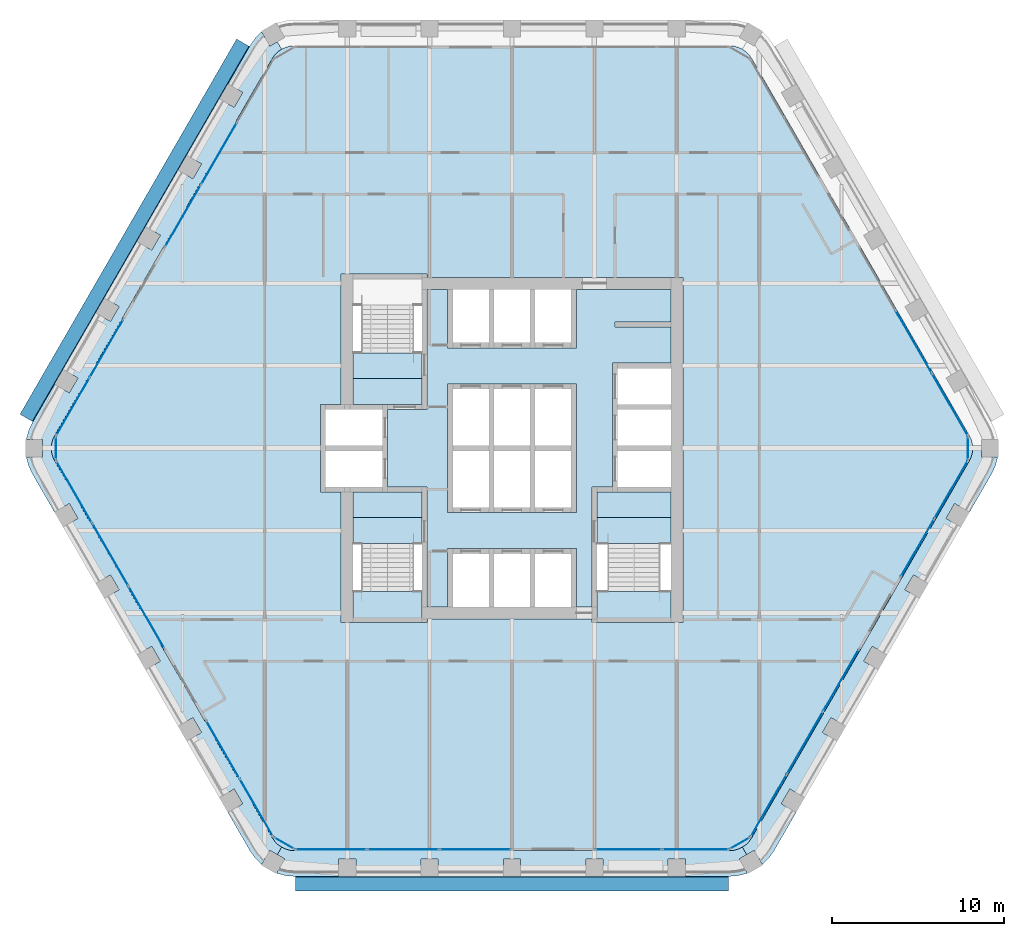
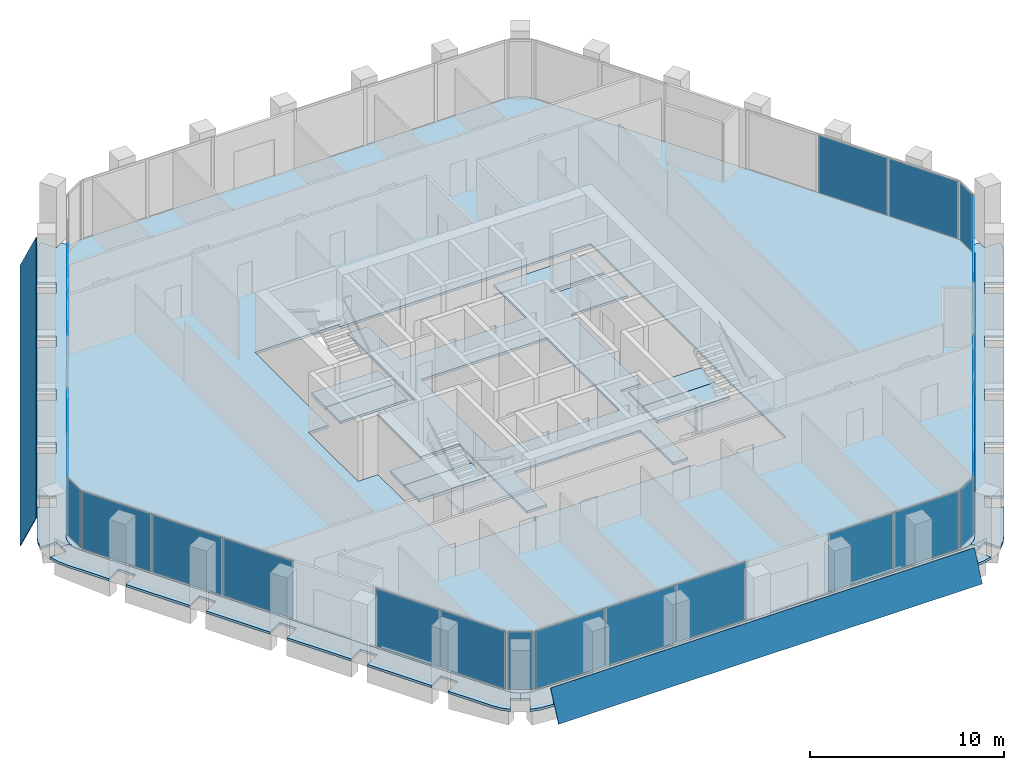
# One storey, part 7 of 15: 27 plates, 14 slabs, 16 elements without a shape of their own.
"""IFC4 building model written with IfcOpenShell, lengths in metres."""

from ifc_helpers import new_model, si_unit, direction, frame, origin, origin_2d, place, context, subcontext, project, spatial, polyline, rectangle, outline, extrude, material, layer, layer_set, type_object, element, aggregate, save


model = new_model("IFC4")

# Units and contexts
model_context = context("Model", 3, precision=1e-05, world=origin(), true_north=direction((0.0, 1.0)))
body_context = subcontext(model_context, "Body", "Model", "MODEL_VIEW")
ifc_project = project(units=[si_unit("LENGTHUNIT", "METRE"), si_unit("AREAUNIT", "SQUARE_METRE"), si_unit("VOLUMEUNIT", "CUBIC_METRE"), si_unit("PLANEANGLEUNIT", "RADIAN"), si_unit("MASSUNIT", "GRAM", prefix="KILO")], contexts=[model_context])

# Site, building, storey
site_placement = place(None, origin())
site = spatial("IfcSite", under=ifc_project, at=site_placement, CompositionType="ELEMENT")
building_placement = place(site_placement, origin())
building = spatial("IfcBuilding", under=site, at=building_placement, Name="Kolab Exchange Tower", CompositionType="ELEMENT")
storey_placement = place(building_placement, frame((0.0, 0.0, 185.60009765625)))
storey = spatial("IfcBuildingStorey", under=building, at=storey_placement, Name="L39", CompositionType="ELEMENT", Elevation=185.60009765625)

# Slabs
ifc_material_1 = material(Name="Concrete C35/45", Category="concrete")
ifc_layer_1 = layer(ifc_material_1, 0.14990234375)
ifc_layer_set_1 = layer_set([ifc_layer_1], Name="Concrete C35/45")
slab_type_1 = type_object("IfcSlabType", Name="FLOOR SLAB 150", PredefinedType="FLOOR", material=ifc_layer_set_1)
slab_1_placement = place(storey_placement, frame((0.0, 0.0, -0.150146484375)))
element("IfcSlab", 1, at=slab_1_placement, inside=storey, type_object=slab_type_1, Name="slab/L39/floor/0", PredefinedType="FLOOR", context=body_context, shape_type="SweptSolid", body=[
    extrude(outline(polyline([(13.967041015625, -22.691650390625), (26.635009765625, -0.75), (26.745361328125, -0.512939453125), (26.81298828125, -0.260498046875), (26.8359375, 0.0), (26.81298828125, 0.260498046875), (26.745361328125, 0.512939453125), (26.635009765625, 0.75), (13.967041015625, 22.691650390625), (13.81689453125, 22.90576171875), (13.632080078125, 23.090576171875), (13.41796875, 23.240478515625), (13.180908203125, 23.35107421875), (12.928466796875, 23.418701171875), (12.66796875, 23.441650390625), (-12.66796875, 23.441650390625), (-12.928466796875, 23.418701171875), (-13.180908203125, 23.35107421875), (-13.41796875, 23.240478515625), (-13.632080078125, 23.090576171875), (-13.81689453125, 22.90576171875), (-13.967041015625, 22.691650390625), (-26.635009765625, 0.75), (-26.745361328125, 0.512939453125), (-26.81298828125, 0.260498046875), (-26.8359375, 0.0), (-26.81298828125, -0.260498046875), (-26.745361328125, -0.512939453125), (-26.635009765625, -0.75), (-13.967041015625, -22.691650390625), (-13.81689453125, -22.90576171875), (-13.632080078125, -23.090576171875), (-13.41796875, -23.240478515625), (-13.180908203125, -23.35107421875), (-12.928466796875, -23.418701171875), (-12.66796875, -23.441650390625), (12.66796875, -23.441650390625), (12.928466796875, -23.418701171875), (13.180908203125, -23.35107421875), (13.41796875, -23.240478515625), (13.632080078125, -23.090576171875), (13.81689453125, -22.90576171875), (13.967041015625, -22.691650390625)]), holes=[polyline([(-9.25, -10.14990234375), (-9.949951171875, -10.14990234375), (-9.949951171875, -2.550048828125), (-10.85009765625, -2.550048828125), (-11.14990234375, -2.550048828125), (-11.14990234375, 2.550048828125), (-10.85009765625, 2.550048828125), (-9.949951171875, 2.550048828125), (-9.949951171875, 10.14990234375), (-9.25, 10.14990234375), (-5.25, 10.14990234375), (-4.949951171875, 10.14990234375), (-4.949951171875, 9.949951171875), (9.25, 9.949951171875), (9.949951171875, 9.949951171875), (9.949951171875, -10.14990234375), (9.25, -10.14990234375), (4.949951171875, -10.14990234375), (4.64990234375, -10.14990234375), (4.64990234375, -9.949951171875), (-4.949951171875, -9.949951171875), (-4.949951171875, -10.14990234375), (-5.25, -10.14990234375), (-9.25, -10.14990234375)])]), origin(), (0.0, 0.0, 1.0), 0.150146484375),
])
slab_2_placement = place(storey_placement, frame((0.0, 0.0, -0.150146484375)))
element("IfcSlab", 2, at=slab_2_placement, inside=storey, type_object=slab_type_1, Name="slab/L39/floor/1", PredefinedType="FLOOR", context=body_context, shape_type="SweptSolid", body=[
    extrude(outline(polyline([(-4.949951171875, 9.25), (-4.949951171875, 2.25), (-5.25, 2.25), (-7.25, 2.25), (-7.25, -2.25), (-5.25, -2.25), (-4.949951171875, -2.25), (-4.949951171875, -9.25), (-3.75, -9.25), (-3.75, -5.85009765625), (-3.449951171875, -5.85009765625), (-1.35009765625, -5.85009765625), (-1.050048828125, -5.85009765625), (1.050048828125, -5.85009765625), (1.35009765625, -5.85009765625), (3.449951171875, -5.85009765625), (3.75, -5.85009765625), (3.75, -9.25), (4.64990234375, -9.25), (4.64990234375, -2.25), (4.949951171875, -2.25), (5.85009765625, -2.25), (5.85009765625, 4.949951171875), (6.14990234375, 4.949951171875), (9.25, 4.949951171875), (9.25, 7.050048828125), (6.0, 7.050048828125), (6.0, 7.35009765625), (9.25, 7.35009765625), (9.25, 9.25), (3.75, 9.25), (3.75, 5.85009765625), (3.449951171875, 5.85009765625), (1.35009765625, 5.85009765625), (1.050048828125, 5.85009765625), (-1.050048828125, 5.85009765625), (-1.35009765625, 5.85009765625), (-3.449951171875, 5.85009765625), (-3.75, 5.85009765625), (-3.75, 9.25), (-4.949951171875, 9.25)]), holes=[polyline([(-3.449951171875, -3.75), (-3.75, -3.75), (-3.75, 3.75), (-3.449951171875, 3.75), (-1.35009765625, 3.75), (-1.050048828125, 3.75), (1.050048828125, 3.75), (1.35009765625, 3.75), (3.449951171875, 3.75), (3.75, 3.75), (3.75, -3.75), (3.449951171875, -3.75), (1.35009765625, -3.75), (1.050048828125, -3.75), (-1.050048828125, -3.75), (-1.35009765625, -3.75), (-3.449951171875, -3.75)])]), origin(), (0.0, 0.0, 1.0), 0.150146484375),
])
slab_3_placement = place(storey_placement, frame((0.0, 0.0, -0.150146484375)))
element("IfcSlab", 3, at=slab_3_placement, inside=storey, type_object=slab_type_1, Name="slab/L39/floor/2", PredefinedType="FLOOR", context=body_context, shape_type="SweptSolid", body=[
    extrude(outline(polyline([(4.949951171875, -4.050048828125), (9.25, -4.050048828125), (9.25, -2.550048828125), (6.14990234375, -2.550048828125), (5.85009765625, -2.550048828125), (4.949951171875, -2.550048828125), (4.949951171875, -4.050048828125)])), origin(), (0.0, 0.0, 1.0), 0.150146484375),
])
slab_4_placement = place(storey_placement, frame((0.0, 0.0, -0.150146484375)))
element("IfcSlab", 4, at=slab_4_placement, inside=storey, type_object=slab_type_1, Name="slab/L39/floor/3", PredefinedType="FLOOR", context=body_context, shape_type="SweptSolid", body=[
    extrude(outline(polyline([(-7.550048828125, -2.550048828125), (-9.25, -2.550048828125), (-9.25, -4.050048828125), (-5.25, -4.050048828125), (-5.25, -2.550048828125), (-7.25, -2.550048828125), (-7.550048828125, -2.550048828125)])), origin(), (0.0, 0.0, 1.0), 0.150146484375),
])
slab_5_placement = place(storey_placement, frame((0.0, 0.0, -0.150146484375)))
element("IfcSlab", 5, at=slab_5_placement, inside=storey, type_object=slab_type_1, Name="slab/L39/floor/4", PredefinedType="FLOOR", context=body_context, shape_type="SweptSolid", body=[
    extrude(outline(polyline([(-9.25, 2.550048828125), (-7.550048828125, 2.550048828125), (-7.25, 2.550048828125), (-5.25, 2.550048828125), (-5.25, 4.050048828125), (-9.25, 4.050048828125), (-9.25, 2.550048828125)])), origin(), (0.0, 0.0, 1.0), 0.150146484375),
])
ifc_layer_2 = layer(ifc_material_1, 0.14990234375)
ifc_layer_set_2 = layer_set([ifc_layer_2], Name="Concrete C35/45")
slab_type_2 = type_object("IfcSlabType", Name="LOGGIA SLAB 150", PredefinedType="FLOOR", material=ifc_layer_set_2)
slab_6_placement = place(storey_placement, frame((0.0, 0.0, -0.150146484375)))
element("IfcSlab", 6, at=slab_6_placement, inside=storey, type_object=slab_type_2, Name="slab/L39/loggia/2-0", PredefinedType="FLOOR", context=body_context, shape_type="SweptSolid", body=[
    extrude(outline(polyline([(15.26611328125, -23.441650390625), (16.550048828125, -21.217529296875), (15.68408203125, -20.717529296875), (16.18408203125, -19.8515625), (17.050048828125, -20.3515625), (18.949951171875, -17.060791015625), (18.083984375, -16.560791015625), (18.583984375, -15.694580078125), (19.449951171875, -16.194580078125), (21.35009765625, -12.90380859375), (20.48388671875, -12.40380859375), (20.98388671875, -11.537841796875), (21.85009765625, -12.037841796875), (23.75, -8.746826171875), (22.884033203125, -8.246826171875), (23.384033203125, -7.380859375), (24.25, -7.880859375), (26.14990234375, -4.58984375), (25.283935546875, -4.08984375), (25.783935546875, -3.223876953125), (26.64990234375, -3.723876953125), (27.93408203125, -1.5), (28.155029296875, -1.026123046875), (28.290283203125, -0.52099609375), (28.292236328125, -0.5), (27.3359375, -0.5), (27.3359375, 0.0), (26.8359375, 0.0), (26.81298828125, -0.260498046875), (26.745361328125, -0.512939453125), (26.635009765625, -0.75), (13.967041015625, -22.691650390625), (13.81689453125, -22.90576171875), (13.632080078125, -23.090576171875), (13.41796875, -23.240478515625), (13.66796875, -23.673583984375), (14.10107421875, -23.423583984375), (14.5791015625, -24.251708984375), (14.59619140625, -24.23974609375), (14.966064453125, -23.869873046875), (15.26611328125, -23.441650390625)])), origin(), (0.0, 0.0, 1.0), 0.150146484375),
])
slab_7_placement = place(storey_placement, frame((0.0, 0.0, -0.150146484375)))
element("IfcSlab", 7, at=slab_7_placement, inside=storey, type_object=slab_type_2, Name="slab/L39/loggia/3-0", PredefinedType="FLOOR", context=body_context, shape_type="SweptSolid", body=[
    extrude(outline(polyline([(-13.41796875, -23.240478515625), (-13.66796875, -23.673583984375), (-13.23486328125, -23.923583984375), (-13.713134765625, -24.751708984375), (-13.694091796875, -24.760498046875), (-13.18896484375, -24.89599609375), (-12.66796875, -24.941650390625), (-10.10009765625, -24.941650390625), (-10.10009765625, -23.941650390625), (-9.10009765625, -23.941650390625), (-9.10009765625, -24.941650390625), (-5.300048828125, -24.941650390625), (-5.300048828125, -23.941650390625), (-4.300048828125, -23.941650390625), (-4.300048828125, -24.941650390625), (-0.5, -24.941650390625), (-0.5, -23.941650390625), (0.5, -23.941650390625), (0.5, -24.941650390625), (4.300048828125, -24.941650390625), (4.300048828125, -23.941650390625), (5.300048828125, -23.941650390625), (5.300048828125, -24.941650390625), (9.10009765625, -24.941650390625), (9.10009765625, -23.941650390625), (10.10009765625, -23.941650390625), (10.10009765625, -24.941650390625), (12.66796875, -24.941650390625), (13.18896484375, -24.89599609375), (13.694091796875, -24.760498046875), (13.713134765625, -24.751708984375), (13.23486328125, -23.923583984375), (13.66796875, -23.673583984375), (13.41796875, -23.240478515625), (13.180908203125, -23.35107421875), (12.928466796875, -23.418701171875), (12.66796875, -23.441650390625), (-12.66796875, -23.441650390625), (-12.928466796875, -23.418701171875), (-13.180908203125, -23.35107421875), (-13.41796875, -23.240478515625)])), origin(), (0.0, 0.0, 1.0), 0.150146484375),
])
slab_8_placement = place(storey_placement, frame((0.0, 0.0, -0.150146484375)))
element("IfcSlab", 8, at=slab_8_placement, inside=storey, type_object=slab_type_2, Name="slab/L39/loggia/4-0", PredefinedType="FLOOR", context=body_context, shape_type="SweptSolid", body=[
    extrude(outline(polyline([(-26.8359375, 0.0), (-27.3359375, 0.0), (-27.3359375, -0.5), (-28.292236328125, -0.5), (-28.290283203125, -0.52099609375), (-28.155029296875, -1.026123046875), (-27.93408203125, -1.5), (-26.64990234375, -3.723876953125), (-25.783935546875, -3.223876953125), (-25.283935546875, -4.08984375), (-26.14990234375, -4.58984375), (-24.25, -7.880859375), (-23.384033203125, -7.380859375), (-22.884033203125, -8.246826171875), (-23.75, -8.746826171875), (-21.85009765625, -12.037841796875), (-20.98388671875, -11.537841796875), (-20.48388671875, -12.40380859375), (-21.35009765625, -12.90380859375), (-19.449951171875, -16.194580078125), (-18.583984375, -15.694580078125), (-18.083984375, -16.560791015625), (-18.949951171875, -17.060791015625), (-17.050048828125, -20.3515625), (-16.18408203125, -19.8515625), (-15.68408203125, -20.717529296875), (-16.550048828125, -21.217529296875), (-15.26611328125, -23.441650390625), (-14.966064453125, -23.869873046875), (-14.59619140625, -24.23974609375), (-14.5791015625, -24.251708984375), (-14.10107421875, -23.423583984375), (-13.66796875, -23.673583984375), (-13.41796875, -23.240478515625), (-13.632080078125, -23.090576171875), (-13.81689453125, -22.90576171875), (-13.967041015625, -22.691650390625), (-26.635009765625, -0.75), (-26.745361328125, -0.512939453125), (-26.81298828125, -0.260498046875), (-26.8359375, 0.0)])), origin(), (0.0, 0.0, 1.0), 0.150146484375),
])
slab_9_placement = place(storey_placement, frame((0.0, 0.0, -0.150146484375)))
element("IfcSlab", 9, at=slab_9_placement, inside=storey, type_object=slab_type_2, Name="slab/L39/loggia/5-0", PredefinedType="FLOOR", context=body_context, shape_type="SweptSolid", body=[
    extrude(outline(polyline([(-13.41796875, 23.240478515625), (-13.66796875, 23.673583984375), (-14.10107421875, 23.423583984375), (-14.5791015625, 24.251708984375), (-14.59619140625, 24.23974609375), (-14.966064453125, 23.869873046875), (-15.26611328125, 23.441650390625), (-16.550048828125, 21.217529296875), (-15.68408203125, 20.717529296875), (-16.18408203125, 19.8515625), (-17.050048828125, 20.3515625), (-18.949951171875, 17.060791015625), (-18.083984375, 16.560791015625), (-18.583984375, 15.694580078125), (-19.449951171875, 16.194580078125), (-21.35009765625, 12.90380859375), (-20.48388671875, 12.40380859375), (-20.98388671875, 11.537841796875), (-21.85009765625, 12.037841796875), (-23.75, 8.746826171875), (-22.884033203125, 8.246826171875), (-23.384033203125, 7.380859375), (-24.25, 7.880859375), (-26.14990234375, 4.58984375), (-25.283935546875, 4.08984375), (-25.783935546875, 3.223876953125), (-26.64990234375, 3.723876953125), (-27.93408203125, 1.5), (-28.155029296875, 1.026123046875), (-28.290283203125, 0.52099609375), (-28.292236328125, 0.5), (-27.3359375, 0.5), (-27.3359375, 0.0), (-26.8359375, 0.0), (-26.81298828125, 0.260498046875), (-26.745361328125, 0.512939453125), (-26.635009765625, 0.75), (-13.967041015625, 22.691650390625), (-13.81689453125, 22.90576171875), (-13.632080078125, 23.090576171875), (-13.41796875, 23.240478515625)])), origin(), (0.0, 0.0, 1.0), 0.150146484375),
])

# Plates
ifc_material_2 = material(Name="Laminated glass, clear", Category="glass")
ifc_layer_3 = layer(ifc_material_2, 0.0400390625)
ifc_layer_set_3 = layer_set([ifc_layer_3], Name="Laminated glass, clear")
plate_type_1 = type_object("IfcPlateType", Name="OUTER SKIN LAMINATED GLASS SHEET 40", PredefinedType="SHEET", material=ifc_layer_set_3)
plate_1_placement = place(storey_placement, frame((12.617919921875, -25.806640625, -0.68310546875), z_axis=(0.0, -0.90629442354, 0.42264691867), x_axis=(-1.0, 0.0, 0.0)))
element("IfcPlate", 10, at=plate_1_placement, inside=storey, type_object=plate_type_1, Name="Outer skin", PredefinedType="SHEET", context=body_context, shape_type="SweptSolid", body=[
    extrude(outline(polyline([(0.0, 0.0), (25.23583984375, 0.0), (25.23583984375, -1.9611107647099728), (0.0, -1.9611107647099728), (0.0, 0.0)])), origin(), (0.0, 0.0, -1.0), 0.0400390625),
])
plate_2_placement = place(storey_placement, frame((-28.658203125, 1.975830078125, -0.68310546875), z_axis=(-0.784879402523, 0.453150748855, 0.422633082363), x_axis=(0.49999996891, 0.866025421734, -9.26397e-07)))
element("IfcPlate", 11, at=plate_2_placement, inside=storey, type_object=plate_type_1, Name="Outer skin", PredefinedType="SHEET", context=body_context, shape_type="SweptSolid", body=[
    extrude(outline(polyline([(0.0, 0.0), (25.235928246078725, 0.0), (25.235801780826137, -1.9611225980101963), (8.496673513867198e-05, -1.9610710072384852), (0.0, 0.0)])), origin(), (0.0, 0.0, -1.0), 0.0400390625),
])

# Stair, slab
ifc_material_3 = material(Name="Concrete C50/60", Category="concrete")
stair_type_1 = type_object("IfcStairType", Name="STAIR ST1 RISER 177.3", PredefinedType="HALF_TURN_STAIR", material=ifc_material_3)
stair_1_placement = place(storey_placement, origin())
stair_1 = element("IfcStair", 12, at=stair_1_placement, inside=storey, type_object=stair_type_1, Name="Stair 1", PredefinedType="HALF_TURN_STAIR")
ifc_layer_4 = layer(ifc_material_3, 0.199951171875)
ifc_layer_set_4 = layer_set([ifc_layer_4], Name="Concrete C50/60")
slab_type_3 = type_object("IfcSlabType", Name="STAIR LANDING 200", PredefinedType="LANDING", material=ifc_layer_set_4)
slab_10_placement = place(storey_placement, frame((0.0, 0.0, -0.2001953125)))
slab_10 = element("IfcSlab", 13, at=slab_10_placement, type_object=slab_type_3, Name="ST1 landing 1", PredefinedType="LANDING", context=body_context, shape_type="SweptSolid", body=[
    extrude(outline(polyline([(-9.25, 4.050048828125), (-5.25, 4.050048828125), (-5.25, 5.550048828125), (-9.25, 5.550048828125), (-9.25, 4.050048828125)])), origin(), (0.0, 0.0, 1.0), 0.2001953125),
])
aggregate(stair_1, [slab_10])

# Stair, slabs
stair_type_2 = type_object("IfcStairType", Name="STAIR ST3 RISER 177.3", PredefinedType="HALF_TURN_STAIR", material=ifc_material_3)
stair_2_placement = place(storey_placement, origin())
stair_2 = element("IfcStair", 14, at=stair_2_placement, inside=storey, type_object=stair_type_2, Name="Stair 3", PredefinedType="HALF_TURN_STAIR")
slab_11_placement = place(storey_placement, frame((0.0, 0.0, -0.2001953125)))
slab_11 = element("IfcSlab", 15, at=slab_11_placement, type_object=slab_type_3, Name="ST3 landing 1", PredefinedType="LANDING", context=body_context, shape_type="SweptSolid", body=[
    extrude(outline(polyline([(-9.25, -5.550048828125), (-5.25, -5.550048828125), (-5.25, -4.050048828125), (-9.25, -4.050048828125), (-9.25, -5.550048828125)])), origin(), (0.0, 0.0, 1.0), 0.2001953125),
])
slab_12_placement = place(storey_placement, frame((0.0, 0.0, 1.75)))
slab_12 = element("IfcSlab", 16, at=slab_12_placement, type_object=slab_type_3, Name="ST3 landing 2", PredefinedType="LANDING", context=body_context, shape_type="SweptSolid", body=[
    extrude(outline(polyline([(-9.25, -9.909912109375), (-5.25, -9.909912109375), (-5.25, -8.35009765625), (-9.25, -8.35009765625), (-9.25, -9.909912109375)])), origin(), (0.0, 0.0, 1.0), 0.199951171875),
])
aggregate(stair_2, [slab_11, slab_12])

stair_type_3 = type_object("IfcStairType", Name="STAIR ST2 RISER 177.3", PredefinedType="HALF_TURN_STAIR", material=ifc_material_3)
stair_3_placement = place(storey_placement, origin())
stair_3 = element("IfcStair", 17, at=stair_3_placement, inside=storey, type_object=stair_type_3, Name="Stair 2", PredefinedType="HALF_TURN_STAIR")
slab_13_placement = place(storey_placement, frame((0.0, 0.0, -0.2001953125)))
slab_13 = element("IfcSlab", 18, at=slab_13_placement, type_object=slab_type_3, Name="ST2 landing 1", PredefinedType="LANDING", context=body_context, shape_type="SweptSolid", body=[
    extrude(outline(polyline([(4.949951171875, -5.550048828125), (9.25, -5.550048828125), (9.25, -4.050048828125), (4.949951171875, -4.050048828125), (4.949951171875, -5.550048828125)])), origin(), (0.0, 0.0, 1.0), 0.2001953125),
])
slab_14_placement = place(storey_placement, frame((0.0, 0.0, 1.75)))
slab_14 = element("IfcSlab", 19, at=slab_14_placement, type_object=slab_type_3, Name="ST2 landing 2", PredefinedType="LANDING", context=body_context, shape_type="SweptSolid", body=[
    extrude(outline(polyline([(4.949951171875, -9.909912109375), (9.25, -9.909912109375), (9.25, -8.35009765625), (4.949951171875, -8.35009765625), (4.949951171875, -9.909912109375)])), origin(), (0.0, 0.0, 1.0), 0.199951171875),
])
aggregate(stair_3, [slab_13, slab_14])

# Curtain wall, plates
ifc_material_4 = material(Name="Aluminium EN AW-6063 T6", Category="aluminium")
curtain_wall_type = type_object("IfcCurtainWallType", Name="UNITISED UPPER MID ZONE CURTAIN WALL", PredefinedType="NOTDEFINED", material=ifc_material_4)
curtain_wall_1_placement = place(storey_placement, origin())
curtain_wall_1 = element("IfcCurtainWall", 20, at=curtain_wall_1_placement, inside=storey, type_object=curtain_wall_type, Name="cw/L39/F2-2", PredefinedType="NOTDEFINED")
ifc_material_5 = material(Name="Clear insulated glazing unit", Category="glass")
ifc_layer_5 = layer(ifc_material_5, 0.028076171875)
ifc_layer_set_5 = layer_set([ifc_layer_5], Name="Clear insulated glazing unit")
plate_type_2 = type_object("IfcPlateType", Name="UNITISED UPPER MID ZONE GLASS PANEL 28", PredefinedType="CURTAIN_PANEL", material=ifc_layer_set_5)
plate_3_placement = place(storey_placement, frame((23.398681640625, 6.1953125, 0.06005859375), z_axis=(0.0, 0.0, 1.0), x_axis=(0.499999958358, -0.866025427826, 0.0)))
plate_3 = element("IfcPlate", 21, at=plate_3_placement, type_object=plate_type_2, Name="CW3 panel 2.1", PredefinedType="CURTAIN_PANEL", context=body_context, shape_type="SweptSolid", body=[
    extrude(rectangle(XDim=4.16259765625, YDim=0.028076171875, at=origin_2d()), origin(), (0.0, 0.0, 1.0), 3.6298828125),
])
plate_4_placement = place(storey_placement, frame((25.50244140625, 2.551513671875, 0.06005859375), z_axis=(0.0, 0.0, 1.0), x_axis=(0.499999958358, -0.866025427826, 0.0)))
plate_4 = element("IfcPlate", 22, at=plate_4_placement, type_object=plate_type_2, Name="CW3 panel 3.1", PredefinedType="CURTAIN_PANEL", context=body_context, shape_type="SweptSolid", body=[
    extrude(rectangle(XDim=4.132568359375, YDim=0.028076171875, at=origin_2d()), origin(), (0.0, 0.0, 1.0), 3.6298828125),
])
aggregate(curtain_wall_1, [plate_3, plate_4])

curtain_wall_2_placement = place(storey_placement, origin())
curtain_wall_2 = element("IfcCurtainWall", 23, at=curtain_wall_2_placement, inside=storey, type_object=curtain_wall_type, Name="cw/L39/F3-1", PredefinedType="NOTDEFINED")
plate_5_placement = place(storey_placement, frame((25.57470703125, -2.426513671875, 0.06005859375), z_axis=(0.0, 0.0, 1.0), x_axis=(-0.499999936366, -0.866025440524, 0.0)))
plate_5 = element("IfcPlate", 24, at=plate_5_placement, type_object=plate_type_2, Name="CW3 panel 1.1", PredefinedType="CURTAIN_PANEL", context=body_context, shape_type="SweptSolid", body=[
    extrude(rectangle(XDim=3.843994140625, YDim=0.028076171875, at=origin_2d()), origin(), (0.0, 0.0, 1.0), 3.6298828125),
])
plate_6_placement = place(storey_placement, frame((23.62255859375, -5.807373046875, 0.06005859375), z_axis=(0.0, 0.0, 1.0), x_axis=(-0.499999936366, -0.866025440524, 0.0)))
plate_6 = element("IfcPlate", 25, at=plate_6_placement, type_object=plate_type_2, Name="CW3 panel 2.1", PredefinedType="CURTAIN_PANEL", context=body_context, shape_type="SweptSolid", body=[
    extrude(rectangle(XDim=3.843994140625, YDim=0.028076171875, at=origin_2d()), origin(), (0.0, 0.0, 1.0), 3.6298828125),
])
aggregate(curtain_wall_2, [plate_5, plate_6])

curtain_wall_3_placement = place(storey_placement, origin())
curtain_wall_3 = element("IfcCurtainWall", 26, at=curtain_wall_3_placement, inside=storey, type_object=curtain_wall_type, Name="cw/L39/F3-2", PredefinedType="NOTDEFINED")
plate_7_placement = place(storey_placement, frame((19.16845703125, -13.522216796875, 0.06005859375), z_axis=(0.0, 0.0, 1.0), x_axis=(-0.500000017564, -0.866025393644, 0.0)))
plate_7 = element("IfcPlate", 27, at=plate_7_placement, type_object=plate_type_2, Name="CW3 panel 1.1", PredefinedType="CURTAIN_PANEL", context=body_context, shape_type="SweptSolid", body=[
    extrude(rectangle(XDim=4.132568359375, YDim=0.028076171875, at=origin_2d()), origin(), (0.0, 0.0, 1.0), 3.6298828125),
])
plate_8_placement = place(storey_placement, frame((17.064697265625, -17.166259765625, 0.06005859375), z_axis=(0.0, 0.0, 1.0), x_axis=(-0.500000017564, -0.866025393644, 0.0)))
plate_8 = element("IfcPlate", 28, at=plate_8_placement, type_object=plate_type_2, Name="CW3 panel 2.1", PredefinedType="CURTAIN_PANEL", context=body_context, shape_type="SweptSolid", body=[
    extrude(rectangle(XDim=4.16259765625, YDim=0.028076171875, at=origin_2d()), origin(), (0.0, 0.0, 1.0), 3.6298828125),
])
plate_9_placement = place(storey_placement, frame((14.9609375, -20.81005859375, 0.06005859375), z_axis=(0.0, 0.0, 1.0), x_axis=(-0.500000017564, -0.866025393644, 0.0)))
plate_9 = element("IfcPlate", 29, at=plate_9_placement, type_object=plate_type_2, Name="CW3 panel 3.1", PredefinedType="CURTAIN_PANEL", context=body_context, shape_type="SweptSolid", body=[
    extrude(rectangle(XDim=4.132568359375, YDim=0.028076171875, at=origin_2d()), origin(), (0.0, 0.0, 1.0), 3.6298828125),
])
aggregate(curtain_wall_3, [plate_7, plate_8, plate_9])

curtain_wall_4_placement = place(storey_placement, origin())
curtain_wall_4 = element("IfcCurtainWall", 30, at=curtain_wall_4_placement, inside=storey, type_object=curtain_wall_type, Name="cw/L39/F4-1", PredefinedType="NOTDEFINED")
plate_10_placement = place(storey_placement, frame((10.68603515625, -23.361572265625, 0.06005859375), z_axis=(0.0, 0.0, 1.0), x_axis=(-1.0, 0.0, 0.0)))
plate_10 = element("IfcPlate", 31, at=plate_10_placement, type_object=plate_type_2, Name="CW3 panel 1.1", PredefinedType="CURTAIN_PANEL", context=body_context, shape_type="SweptSolid", body=[
    extrude(rectangle(XDim=3.843994140625, YDim=0.028076171875, at=origin_2d()), origin(), (0.0, 0.0, 1.0), 3.6298828125),
])
plate_11_placement = place(storey_placement, frame((6.781982421875, -23.361572265625, 0.06005859375), z_axis=(0.0, 0.0, 1.0), x_axis=(-1.0, 0.0, 0.0)))
plate_11 = element("IfcPlate", 32, at=plate_11_placement, type_object=plate_type_2, Name="CW3 panel 2.1", PredefinedType="CURTAIN_PANEL", context=body_context, shape_type="SweptSolid", body=[
    extrude(rectangle(XDim=3.843994140625, YDim=0.028076171875, at=origin_2d()), origin(), (0.0, 0.0, 1.0), 3.6298828125),
])
aggregate(curtain_wall_4, [plate_10, plate_11])

curtain_wall_5_placement = place(storey_placement, origin())
curtain_wall_5 = element("IfcCurtainWall", 33, at=curtain_wall_5_placement, inside=storey, type_object=curtain_wall_type, Name="cw/L39/F4-2", PredefinedType="NOTDEFINED")
plate_12_placement = place(storey_placement, frame((-2.126220703125, -23.361572265625, 0.06005859375), z_axis=(0.0, 0.0, 1.0), x_axis=(-1.0, 0.0, 0.0)))
plate_12 = element("IfcPlate", 34, at=plate_12_placement, type_object=plate_type_2, Name="CW3 panel 1.1", PredefinedType="CURTAIN_PANEL", context=body_context, shape_type="SweptSolid", body=[
    extrude(rectangle(XDim=4.132568359375, YDim=0.028076171875, at=origin_2d()), origin(), (0.0, 0.0, 1.0), 3.6298828125),
])
plate_13_placement = place(storey_placement, frame((-6.333984375, -23.361572265625, 0.06005859375), z_axis=(0.0, 0.0, 1.0), x_axis=(-1.0, 0.0, 0.0)))
plate_13 = element("IfcPlate", 35, at=plate_13_placement, type_object=plate_type_2, Name="CW3 panel 2.1", PredefinedType="CURTAIN_PANEL", context=body_context, shape_type="SweptSolid", body=[
    extrude(rectangle(XDim=4.16259765625, YDim=0.028076171875, at=origin_2d()), origin(), (0.0, 0.0, 1.0), 3.6298828125),
])
plate_14_placement = place(storey_placement, frame((-10.54150390625, -23.361572265625, 0.06005859375), z_axis=(0.0, 0.0, 1.0), x_axis=(-1.0, 0.0, 0.0)))
plate_14 = element("IfcPlate", 36, at=plate_14_placement, type_object=plate_type_2, Name="CW3 panel 3.1", PredefinedType="CURTAIN_PANEL", context=body_context, shape_type="SweptSolid", body=[
    extrude(rectangle(XDim=4.132568359375, YDim=0.028076171875, at=origin_2d()), origin(), (0.0, 0.0, 1.0), 3.6298828125),
])
aggregate(curtain_wall_5, [plate_12, plate_13, plate_14])

curtain_wall_6_placement = place(storey_placement, origin())
curtain_wall_6 = element("IfcCurtainWall", 37, at=curtain_wall_6_placement, inside=storey, type_object=curtain_wall_type, Name="cw/L39/F5-1", PredefinedType="NOTDEFINED")
plate_15_placement = place(storey_placement, frame((-14.888671875, -20.93505859375, 0.06005859375), z_axis=(0.0, 0.0, 1.0), x_axis=(-0.500000031681, 0.866025385493, 0.0)))
plate_15 = element("IfcPlate", 38, at=plate_15_placement, type_object=plate_type_2, Name="CW3 panel 1.1", PredefinedType="CURTAIN_PANEL", context=body_context, shape_type="SweptSolid", body=[
    extrude(rectangle(XDim=3.843994140625, YDim=0.028076171875, at=origin_2d()), origin(), (0.0, 0.0, 1.0), 3.6298828125),
])
plate_16_placement = place(storey_placement, frame((-16.840576171875, -17.55419921875, 0.06005859375), z_axis=(0.0, 0.0, 1.0), x_axis=(-0.500000031681, 0.866025385493, 0.0)))
plate_16 = element("IfcPlate", 39, at=plate_16_placement, type_object=plate_type_2, Name="CW3 panel 2.1", PredefinedType="CURTAIN_PANEL", context=body_context, shape_type="SweptSolid", body=[
    extrude(rectangle(XDim=3.843994140625, YDim=0.028076171875, at=origin_2d()), origin(), (0.0, 0.0, 1.0), 3.6298828125),
])
aggregate(curtain_wall_6, [plate_15, plate_16])

curtain_wall_7_placement = place(storey_placement, origin())
curtain_wall_7 = element("IfcCurtainWall", 40, at=curtain_wall_7_placement, inside=storey, type_object=curtain_wall_type, Name="cw/L39/F5-2", PredefinedType="NOTDEFINED")
plate_17_placement = place(storey_placement, frame((-21.294921875, -9.83935546875, 0.06005859375), z_axis=(0.0, 0.0, 1.0), x_axis=(-0.499999958358, 0.866025427826, 0.0)))
plate_17 = element("IfcPlate", 41, at=plate_17_placement, type_object=plate_type_2, Name="CW3 panel 1.1", PredefinedType="CURTAIN_PANEL", context=body_context, shape_type="SweptSolid", body=[
    extrude(rectangle(XDim=4.132568359375, YDim=0.028076171875, at=origin_2d()), origin(), (0.0, 0.0, 1.0), 3.6298828125),
])
plate_18_placement = place(storey_placement, frame((-23.398681640625, -6.1953125, 0.06005859375), z_axis=(0.0, 0.0, 1.0), x_axis=(-0.499999958358, 0.866025427826, 0.0)))
plate_18 = element("IfcPlate", 42, at=plate_18_placement, type_object=plate_type_2, Name="CW3 panel 2.1", PredefinedType="CURTAIN_PANEL", context=body_context, shape_type="SweptSolid", body=[
    extrude(rectangle(XDim=4.16259765625, YDim=0.028076171875, at=origin_2d()), origin(), (0.0, 0.0, 1.0), 3.6298828125),
])
plate_19_placement = place(storey_placement, frame((-25.50244140625, -2.551513671875, 0.06005859375), z_axis=(0.0, 0.0, 1.0), x_axis=(-0.499999958358, 0.866025427826, 0.0)))
plate_19 = element("IfcPlate", 43, at=plate_19_placement, type_object=plate_type_2, Name="CW3 panel 3.1", PredefinedType="CURTAIN_PANEL", context=body_context, shape_type="SweptSolid", body=[
    extrude(rectangle(XDim=4.132568359375, YDim=0.028076171875, at=origin_2d()), origin(), (0.0, 0.0, 1.0), 3.6298828125),
])
aggregate(curtain_wall_7, [plate_17, plate_18, plate_19])

curtain_wall_8_placement = place(storey_placement, origin())
curtain_wall_8 = element("IfcCurtainWall", 44, at=curtain_wall_8_placement, inside=storey, type_object=curtain_wall_type, Name="cw/L39/F6-1", PredefinedType="NOTDEFINED")
plate_20_placement = place(storey_placement, frame((-25.57470703125, 2.426513671875, 0.06005859375), z_axis=(0.0, 0.0, 1.0), x_axis=(0.499999936366, 0.866025440524, 0.0)))
plate_20 = element("IfcPlate", 45, at=plate_20_placement, type_object=plate_type_2, Name="CW3 panel 1.1", PredefinedType="CURTAIN_PANEL", context=body_context, shape_type="SweptSolid", body=[
    extrude(rectangle(XDim=3.843994140625, YDim=0.028076171875, at=origin_2d()), origin(), (0.0, 0.0, 1.0), 3.6298828125),
])
plate_21_placement = place(storey_placement, frame((-23.62255859375, 5.807373046875, 0.06005859375), z_axis=(0.0, 0.0, 1.0), x_axis=(0.499999936366, 0.866025440524, 0.0)))
plate_21 = element("IfcPlate", 46, at=plate_21_placement, type_object=plate_type_2, Name="CW3 panel 2.1", PredefinedType="CURTAIN_PANEL", context=body_context, shape_type="SweptSolid", body=[
    extrude(rectangle(XDim=3.843994140625, YDim=0.028076171875, at=origin_2d()), origin(), (0.0, 0.0, 1.0), 3.6298828125),
])
aggregate(curtain_wall_8, [plate_20, plate_21])

curtain_wall_9_placement = place(storey_placement, origin())
curtain_wall_9 = element("IfcCurtainWall", 47, at=curtain_wall_9_placement, inside=storey, type_object=curtain_wall_type, Name="cw/L39/F6-2", PredefinedType="NOTDEFINED")
plate_22_placement = place(storey_placement, frame((-19.16845703125, 13.522216796875, 0.06005859375), z_axis=(0.0, 0.0, 1.0), x_axis=(0.500000017564, 0.866025393644, 0.0)))
plate_22 = element("IfcPlate", 48, at=plate_22_placement, type_object=plate_type_2, Name="CW3 panel 1.1", PredefinedType="CURTAIN_PANEL", context=body_context, shape_type="SweptSolid", body=[
    extrude(rectangle(XDim=4.132568359375, YDim=0.028076171875, at=origin_2d()), origin(), (0.0, 0.0, 1.0), 3.6298828125),
])
plate_23_placement = place(storey_placement, frame((-17.064697265625, 17.166259765625, 0.06005859375), z_axis=(0.0, 0.0, 1.0), x_axis=(0.500000017564, 0.866025393644, 0.0)))
plate_23 = element("IfcPlate", 49, at=plate_23_placement, type_object=plate_type_2, Name="CW3 panel 2.1", PredefinedType="CURTAIN_PANEL", context=body_context, shape_type="SweptSolid", body=[
    extrude(rectangle(XDim=4.16259765625, YDim=0.028076171875, at=origin_2d()), origin(), (0.0, 0.0, 1.0), 3.6298828125),
])
aggregate(curtain_wall_9, [plate_22, plate_23])

# Curtain wall, plate
curtain_wall_10_placement = place(storey_placement, origin())
curtain_wall_10 = element("IfcCurtainWall", 50, at=curtain_wall_10_placement, inside=storey, type_object=curtain_wall_type, Name="cw/L39/F2F3-corner", PredefinedType="NOTDEFINED")
plate_24_placement = place(storey_placement, frame((26.565673828125, 0.0, 0.06005859375), z_axis=(0.0, 0.0, 1.0), x_axis=(0.0, -1.0, 0.0)))
plate_24 = element("IfcPlate", 51, at=plate_24_placement, type_object=plate_type_2, Name="CW3 panel 1.1", PredefinedType="CURTAIN_PANEL", context=body_context, shape_type="SweptSolid", body=[
    extrude(rectangle(XDim=1.300048828125, YDim=0.028076171875, at=origin_2d()), origin(), (0.0, 0.0, 1.0), 3.6298828125),
])
aggregate(curtain_wall_10, [plate_24])

curtain_wall_11_placement = place(storey_placement, origin())
curtain_wall_11 = element("IfcCurtainWall", 52, at=curtain_wall_11_placement, inside=storey, type_object=curtain_wall_type, Name="cw/L39/F3F4-corner", PredefinedType="NOTDEFINED")
plate_25_placement = place(storey_placement, frame((13.28271484375, -23.006591796875, 0.06005859375), z_axis=(0.0, 0.0, 1.0), x_axis=(-0.866025390869, -0.50000002237, 0.0)))
plate_25 = element("IfcPlate", 53, at=plate_25_placement, type_object=plate_type_2, Name="CW3 panel 1.1", PredefinedType="CURTAIN_PANEL", context=body_context, shape_type="SweptSolid", body=[
    extrude(rectangle(XDim=1.300048828125, YDim=0.028076171875, at=origin_2d()), origin(), (0.0, 0.0, 1.0), 3.6298828125),
])
aggregate(curtain_wall_11, [plate_25])

curtain_wall_12_placement = place(storey_placement, origin())
curtain_wall_12 = element("IfcCurtainWall", 54, at=curtain_wall_12_placement, inside=storey, type_object=curtain_wall_type, Name="cw/L39/F4F5-corner", PredefinedType="NOTDEFINED")
plate_26_placement = place(storey_placement, frame((-13.28271484375, -23.006591796875, 0.06005859375), z_axis=(0.0, 0.0, 1.0), x_axis=(-0.866025390869, 0.50000002237, 0.0)))
plate_26 = element("IfcPlate", 55, at=plate_26_placement, type_object=plate_type_2, Name="CW3 panel 1.1", PredefinedType="CURTAIN_PANEL", context=body_context, shape_type="SweptSolid", body=[
    extrude(rectangle(XDim=1.300048828125, YDim=0.028076171875, at=origin_2d()), origin(), (0.0, 0.0, 1.0), 3.6298828125),
])
aggregate(curtain_wall_12, [plate_26])

curtain_wall_13_placement = place(storey_placement, origin())
curtain_wall_13 = element("IfcCurtainWall", 56, at=curtain_wall_13_placement, inside=storey, type_object=curtain_wall_type, Name="cw/L39/F5F6-corner", PredefinedType="NOTDEFINED")
plate_27_placement = place(storey_placement, frame((-26.565673828125, 0.0, 0.06005859375), z_axis=(0.0, 0.0, 1.0), x_axis=(0.0, 1.0, 0.0)))
plate_27 = element("IfcPlate", 57, at=plate_27_placement, type_object=plate_type_2, Name="CW3 panel 1.1", PredefinedType="CURTAIN_PANEL", context=body_context, shape_type="SweptSolid", body=[
    extrude(rectangle(XDim=1.300048828125, YDim=0.028076171875, at=origin_2d()), origin(), (0.0, 0.0, 1.0), 3.6298828125),
])
aggregate(curtain_wall_13, [plate_27])

save(model, "model.ifc")
